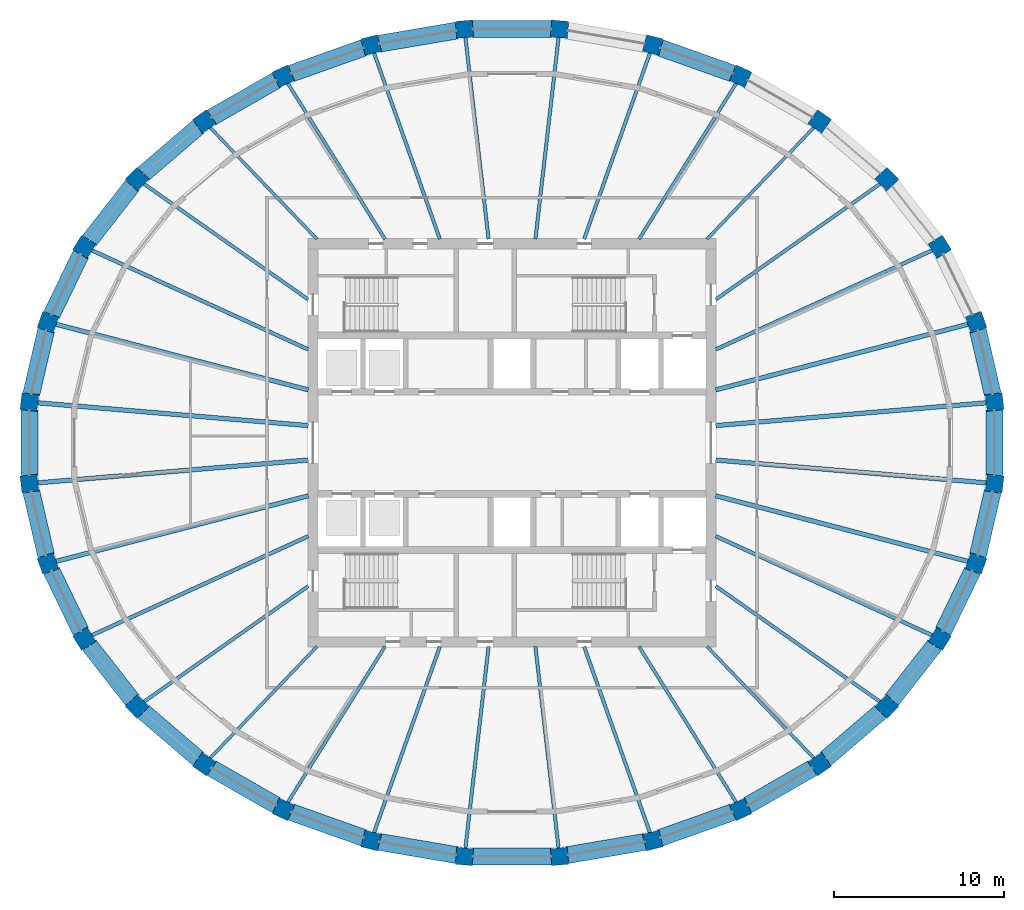
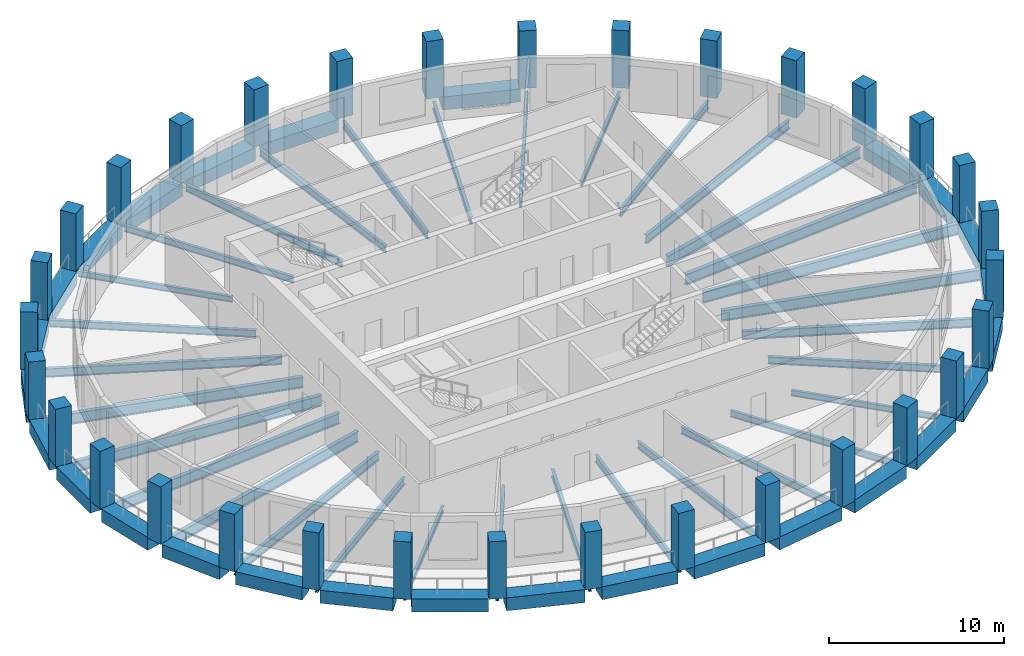
# One storey, part 1 of 10: 59 beams, 32 columns.
"""IFC4 building model written with IfcOpenShell, lengths in metres."""

from ifc_helpers import new_model, si_unit, direction, frame, origin, origin_2d, place, context, subcontext, project, spatial, rectangle, i_section, extrude, material, material_profile, profile_set, type_object, element, save


model = new_model("IFC4")

# Units and contexts
model_context = context("Model", 3, precision=1e-05, world=origin(), true_north=direction((0.0, 1.0)))
body_context = subcontext(model_context, "Body", "Model", "MODEL_VIEW")
ifc_project = project(units=[si_unit("LENGTHUNIT", "METRE"), si_unit("AREAUNIT", "SQUARE_METRE"), si_unit("VOLUMEUNIT", "CUBIC_METRE"), si_unit("PLANEANGLEUNIT", "RADIAN"), si_unit("MASSUNIT", "GRAM", prefix="KILO")], contexts=[model_context])

# Site, building, storey
site_placement = place(None, origin())
site = spatial("IfcSite", under=ifc_project, at=site_placement, CompositionType="ELEMENT")
building_placement = place(site_placement, origin())
building = spatial("IfcBuilding", under=site, at=building_placement, Name="Halqa Exchange Tower", CompositionType="ELEMENT")
storey_placement = place(building_placement, frame((0.0, 0.0, 316.300048828125)))
storey = spatial("IfcBuildingStorey", under=building, at=storey_placement, Name="L74", CompositionType="ELEMENT", Elevation=316.300048828125)

# Columns
ifc_material_1 = material(Name="Concrete C50/60", Category="concrete")
ifc_material_profile_1 = material_profile(ifc_material_1, rectangle(XDim=1.0, YDim=1.0, at=origin_2d()), Name="1000 x 1000")
ifc_profile_set_1 = profile_set([ifc_material_profile_1], Name="Concrete C50/60")
column_type = type_object("IfcColumnType", Name="RC ring column 1000 x 1000 C50/60", PredefinedType="COLUMN", material=ifc_profile_set_1)
for number, where, z_axis, x_axis, name in (
    (1, (28.36279296875, 2.394287109375, 0.0), (0.0, 0.0, 1.0), (-0.114160389816, 0.993462332148, 0.0), "Ring column 1"),
    (2, (27.272705078125, 7.09130859375, 0.0), (0.0, 0.0, 1.0), (-0.333624233576, 0.942706142321, 0.0), "Ring column 2"),
    (3, (25.134765625, 11.515625, 0.0), (0.0, 0.0, 1.0), (-0.529140496257, 0.848534227489, 0.0), "Ring column 3"),
    (4, (22.03076171875, 15.497314453125, 0.0), (0.0, 0.0, 1.0), (-0.691578612608, 0.722301199351, 0.0), "Ring column 4"),
    (5, (18.080078125, 18.883544921875, 0.0), (0.0, 0.0, 1.0), (-0.817906779671, 0.575350762377, 0.0), "Ring column 5"),
    (6, (13.434814453125, 21.544189453125, 0.0), (0.0, 0.0, 1.0), (-0.909128549752, 0.416515641994, 0.0), "Ring column 6"),
    (7, (8.273193359375, 23.376708984375, 0.0), (0.0, 0.0, 1.0), (-0.967819064366, 0.251647091481, 0.0), "Ring column 7"),
    (8, (2.79345703125, 24.31103515625, 0.0), (0.0, 0.0, 1.0), (-0.996455078514, 0.084126550533, 0.0), "Ring column 8"),
    (9, (-2.79345703125, 24.31103515625, 0.0), (0.0, 0.0, 1.0), (-0.996455078514, -0.084126550533, 0.0), "Ring column 9"),
    (10, (-8.273193359375, 23.376708984375, 0.0), (0.0, 0.0, 1.0), (-0.967819064366, -0.251647091481, 0.0), "Ring column 10"),
    (11, (-13.434814453125, 21.544189453125, 0.0), (0.0, 0.0, 1.0), (-0.909128549752, -0.416515641994, 0.0), "Ring column 11"),
    (12, (-18.080078125, 18.883544921875, 0.0), (0.0, 0.0, 1.0), (-0.817906779671, -0.575350762377, 0.0), "Ring column 12"),
    (13, (-22.03076171875, 15.497314453125, 0.0), (0.0, 0.0, 1.0), (-0.691578612608, -0.722301199351, 0.0), "Ring column 13"),
    (14, (-25.134765625, 11.515625, 0.0), (0.0, 0.0, 1.0), (-0.529140496257, -0.848534227489, 0.0), "Ring column 14"),
    (15, (-27.272705078125, 7.09130859375, 0.0), (0.0, 0.0, 1.0), (-0.333624233576, -0.942706142321, 0.0), "Ring column 15"),
    (16, (-28.36279296875, 2.394287109375, 0.0), (0.0, 0.0, 1.0), (-0.114160389816, -0.993462332148, 0.0), "Ring column 16"),
    (17, (-28.36279296875, -2.394287109375, 0.0), (0.0, 0.0, 1.0), (0.114160389816, -0.993462332148, 0.0), "Ring column 17"),
    (18, (-27.272705078125, -7.09130859375, 0.0), (0.0, 0.0, 1.0), (0.333624233576, -0.942706142321, 0.0), "Ring column 18"),
    (19, (-25.134765625, -11.515625, 0.0), (0.0, 0.0, 1.0), (0.529140496257, -0.848534227489, 0.0), "Ring column 19"),
    (20, (-22.03076171875, -15.497314453125, 0.0), (0.0, 0.0, 1.0), (0.691578612608, -0.722301199351, 0.0), "Ring column 20"),
    (21, (-18.080078125, -18.883544921875, 0.0), (0.0, 0.0, 1.0), (0.817906779671, -0.575350762377, 0.0), "Ring column 21"),
    (22, (-13.434814453125, -21.544189453125, 0.0), (0.0, 0.0, 1.0), (0.909128549752, -0.416515641994, 0.0), "Ring column 22"),
    (23, (-8.273193359375, -23.376708984375, 0.0), (0.0, 0.0, 1.0), (0.967819064366, -0.251647091481, 0.0), "Ring column 23"),
    (24, (-2.79345703125, -24.31103515625, 0.0), (0.0, 0.0, 1.0), (0.996455078514, -0.084126550533, 0.0), "Ring column 24"),
    (25, (2.79345703125, -24.31103515625, 0.0), (0.0, 0.0, 1.0), (0.996455078514, 0.084126550533, 0.0), "Ring column 25"),
    (26, (8.273193359375, -23.376708984375, 0.0), (0.0, 0.0, 1.0), (0.967819064366, 0.251647091481, 0.0), "Ring column 26"),
    (27, (13.434814453125, -21.544189453125, 0.0), (0.0, 0.0, 1.0), (0.909128549752, 0.416515641994, 0.0), "Ring column 27"),
    (28, (18.080078125, -18.883544921875, 0.0), (0.0, 0.0, 1.0), (0.817906779671, 0.575350762377, 0.0), "Ring column 28"),
    (29, (22.03076171875, -15.497314453125, 0.0), (0.0, 0.0, 1.0), (0.691578612608, 0.722301199351, 0.0), "Ring column 29"),
    (30, (25.134765625, -11.515625, 0.0), (0.0, 0.0, 1.0), (0.529140496257, 0.848534227489, 0.0), "Ring column 30"),
    (31, (27.272705078125, -7.09130859375, 0.0), (0.0, 0.0, 1.0), (0.333624233576, 0.942706142321, 0.0), "Ring column 31"),
    (32, (28.36279296875, -2.394287109375, 0.0), (0.0, 0.0, 1.0), (0.114160389816, 0.993462332148, 0.0), "Ring column 32"),
):
    element("IfcColumn", number, at=place(storey_placement, frame(where, z_axis=z_axis, x_axis=x_axis)), inside=storey, type_object=column_type, Name=name, PredefinedType="COLUMN", context=body_context, shape_type="SweptSolid", body=[
        extrude(rectangle(XDim=1.0, YDim=1.0, at=origin_2d()), origin(), (0.0, 0.0, 1.0), 4.0),
    ])

# Beams
ifc_material_2 = material(Name="Steel S355", Category="steel")
ifc_material_profile_2 = material_profile(ifc_material_2, i_section(OverallWidth=0.179931640625, OverallDepth=0.39990234375, WebThickness=0.008544921875, FlangeThickness=0.013427734375, FilletRadius=0.02099609375, at=origin_2d()), Name="IPE 400")
ifc_profile_set_2 = profile_set([ifc_material_profile_2], Name="Steel S355")
beam_type_1 = type_object("IfcBeamType", Name="Floor beam IPE 400", PredefinedType="BEAM", material=ifc_profile_set_2)
for number, where, z_axis, x_axis, name in (
    (33, (11.46240234375, 11.9716796875, -0.5), (0.691577100122, 0.722302647501, 0.0), (-0.722302647501, 0.691577100122, 0.0), "Radial beam 5"),
    (34, (-11.46240234375, 11.9716796875, -0.5), (-0.691577100122, 0.722302647501, 0.0), (-0.722302647501, -0.691577100122, 0.0), "Radial beam 12"),
    (35, (-11.46240234375, -11.9716796875, -0.5), (-0.691577100122, -0.722302647501, 0.0), (0.722302647501, -0.691577100122, 0.0), "Radial beam 21"),
    (36, (11.46240234375, -11.9716796875, -0.5), (0.691577100122, -0.722302647501, 0.0), (0.722302647501, 0.691577100122, 0.0), "Radial beam 28"),
):
    element("IfcBeam", number, at=place(storey_placement, frame(where, z_axis=z_axis, x_axis=x_axis)), inside=storey, type_object=beam_type_1, Name=name, PredefinedType="BEAM", context=body_context, shape_type="SweptSolid", body=[
        extrude(i_section(OverallWidth=0.179931640625, OverallDepth=0.39990234375, WebThickness=0.008544921875, FlangeThickness=0.013427734375, FilletRadius=0.02099609375, at=origin_2d()), origin(), (0.0, 0.0, 1.0), 9.193359375),
    ])
ifc_material_profile_3 = material_profile(ifc_material_2, i_section(OverallWidth=0.18994140625, OverallDepth=0.449951171875, WebThickness=0.009521484375, FlangeThickness=0.0146484375, FilletRadius=0.02099609375, at=origin_2d()), Name="IPE 450")
ifc_profile_set_3 = profile_set([ifc_material_profile_3], Name="Steel S355")
beam_type_2 = type_object("IfcBeamType", Name="Floor beam IPE 450", PredefinedType="BEAM", material=ifc_profile_set_3)
for number, where, z_axis, x_axis, name in (
    (37, (7.46630859375, 11.972900390625, -0.525146484375), (0.529135242535, 0.848537503654, 0.0), (-0.848537503654, 0.529135242535, 0.0), "Radial beam 6"),
    (38, (-7.46630859375, 11.972900390625, -0.525146484375), (-0.529135242535, 0.848537503654, 0.0), (-0.848537503654, -0.529135242535, 0.0), "Radial beam 11"),
    (39, (-7.46630859375, -11.972900390625, -0.525146484375), (-0.529135242535, -0.848537503654, 0.0), (0.848537503654, -0.529135242535, 0.0), "Radial beam 22"),
    (40, (7.46630859375, -11.972900390625, -0.525146484375), (0.529135242535, -0.848537503654, 0.0), (0.848537503654, 0.529135242535, 0.0), "Radial beam 27"),
):
    element("IfcBeam", number, at=place(storey_placement, frame(where, z_axis=z_axis, x_axis=x_axis)), inside=storey, type_object=beam_type_2, Name=name, PredefinedType="BEAM", context=body_context, shape_type="SweptSolid", body=[
        extrude(i_section(OverallWidth=0.18994140625, OverallDepth=0.449951171875, WebThickness=0.009521484375, FlangeThickness=0.0146484375, FilletRadius=0.02099609375, at=origin_2d()), origin(), (0.0, 0.0, 1.0), 10.90380859375),
    ])
ifc_material_profile_4 = material_profile(ifc_material_2, i_section(OverallWidth=0.199951171875, OverallDepth=0.5, WebThickness=0.01025390625, FlangeThickness=0.01611328125, FilletRadius=0.02099609375, at=origin_2d()), Name="IPE 500")
ifc_profile_set_4 = profile_set([ifc_material_profile_4], Name="Steel S355")
beam_type_3 = type_object("IfcBeamType", Name="Floor beam IPE 500", PredefinedType="BEAM", material=ifc_profile_set_4)
beam_1_placement = place(storey_placement, frame((11.971435546875, 8.421142578125, -0.550048828125), z_axis=(0.817909915289, 0.575346304822, 0.0), x_axis=(-0.575346304822, 0.817909915289, 0.0)))
element("IfcBeam", 41, at=beam_1_placement, inside=storey, type_object=beam_type_3, Name="Radial beam 4", PredefinedType="BEAM", context=body_context, shape_type="SweptSolid", body=[
    extrude(i_section(OverallWidth=0.199951171875, OverallDepth=0.5, WebThickness=0.01025390625, FlangeThickness=0.01611328125, FilletRadius=0.02099609375, at=origin_2d()), origin(), (0.0, 0.0, 1.0), 11.923095703125),
])
beam_2_placement = place(storey_placement, frame((4.237060546875, 11.97216796875, -0.550048828125), z_axis=(0.333610824629, 0.942710887648, 0.0), x_axis=(-0.942710887648, 0.333610824629, 0.0)))
element("IfcBeam", 42, at=beam_2_placement, inside=storey, type_object=beam_type_3, Name="Radial beam 7", PredefinedType="BEAM", context=body_context, shape_type="SweptSolid", body=[
    extrude(i_section(OverallWidth=0.199951171875, OverallDepth=0.5, WebThickness=0.01025390625, FlangeThickness=0.01611328125, FilletRadius=0.02099609375, at=origin_2d()), origin(), (0.0, 0.0, 1.0), 11.7236328125),
])
for number, where, z_axis, x_axis, name in (
    (43, (1.37548828125, 11.97119140625, -0.550048828125), (0.114158031936, 0.993462603093, 0.0), (-0.993462603093, 0.114158031936, 0.0), "Radial beam 8"),
    (44, (-1.37548828125, 11.97119140625, -0.550048828125), (-0.114158031936, 0.993462603093, 0.0), (-0.993462603093, -0.114158031936, 0.0), "Radial beam 9"),
):
    element("IfcBeam", number, at=place(storey_placement, frame(where, z_axis=z_axis, x_axis=x_axis)), inside=storey, type_object=beam_type_3, Name=name, PredefinedType="BEAM", context=body_context, shape_type="SweptSolid", body=[
        extrude(i_section(OverallWidth=0.199951171875, OverallDepth=0.5, WebThickness=0.01025390625, FlangeThickness=0.01611328125, FilletRadius=0.02099609375, at=origin_2d()), origin(), (0.0, 0.0, 1.0), 12.049072265625),
    ])
beam_3_placement = place(storey_placement, frame((-4.237060546875, 11.97216796875, -0.550048828125), z_axis=(-0.333610824629, 0.942710887648, 0.0), x_axis=(-0.942710887648, -0.333610824629, 0.0)))
element("IfcBeam", 45, at=beam_3_placement, inside=storey, type_object=beam_type_3, Name="Radial beam 10", PredefinedType="BEAM", context=body_context, shape_type="SweptSolid", body=[
    extrude(i_section(OverallWidth=0.199951171875, OverallDepth=0.5, WebThickness=0.01025390625, FlangeThickness=0.01611328125, FilletRadius=0.02099609375, at=origin_2d()), origin(), (0.0, 0.0, 1.0), 11.7236328125),
])
for number, where, z_axis, x_axis, name in (
    (46, (-11.971435546875, 8.421142578125, -0.550048828125), (-0.817909915289, 0.575346304822, 0.0), (-0.575346304822, -0.817909915289, 0.0), "Radial beam 13"),
    (47, (-11.971435546875, -8.421142578125, -0.550048828125), (-0.817909915289, -0.575346304822, 0.0), (0.575346304822, -0.817909915289, 0.0), "Radial beam 20"),
):
    element("IfcBeam", number, at=place(storey_placement, frame(where, z_axis=z_axis, x_axis=x_axis)), inside=storey, type_object=beam_type_3, Name=name, PredefinedType="BEAM", context=body_context, shape_type="SweptSolid", body=[
        extrude(i_section(OverallWidth=0.199951171875, OverallDepth=0.5, WebThickness=0.01025390625, FlangeThickness=0.01611328125, FilletRadius=0.02099609375, at=origin_2d()), origin(), (0.0, 0.0, 1.0), 11.923095703125),
    ])
beam_4_placement = place(storey_placement, frame((-4.237060546875, -11.97216796875, -0.550048828125), z_axis=(-0.333610824629, -0.942710887648, 0.0), x_axis=(0.942710887648, -0.333610824629, 0.0)))
element("IfcBeam", 48, at=beam_4_placement, inside=storey, type_object=beam_type_3, Name="Radial beam 23", PredefinedType="BEAM", context=body_context, shape_type="SweptSolid", body=[
    extrude(i_section(OverallWidth=0.199951171875, OverallDepth=0.5, WebThickness=0.01025390625, FlangeThickness=0.01611328125, FilletRadius=0.02099609375, at=origin_2d()), origin(), (0.0, 0.0, 1.0), 11.7236328125),
])
for number, where, z_axis, x_axis, name in (
    (49, (-1.37548828125, -11.97119140625, -0.550048828125), (-0.114158031936, -0.993462603093, 0.0), (0.993462603093, -0.114158031936, 0.0), "Radial beam 24"),
    (50, (1.37548828125, -11.97119140625, -0.550048828125), (0.114158031936, -0.993462603093, 0.0), (0.993462603093, 0.114158031936, 0.0), "Radial beam 25"),
):
    element("IfcBeam", number, at=place(storey_placement, frame(where, z_axis=z_axis, x_axis=x_axis)), inside=storey, type_object=beam_type_3, Name=name, PredefinedType="BEAM", context=body_context, shape_type="SweptSolid", body=[
        extrude(i_section(OverallWidth=0.199951171875, OverallDepth=0.5, WebThickness=0.01025390625, FlangeThickness=0.01611328125, FilletRadius=0.02099609375, at=origin_2d()), origin(), (0.0, 0.0, 1.0), 12.049072265625),
    ])
beam_5_placement = place(storey_placement, frame((4.237060546875, -11.97216796875, -0.550048828125), z_axis=(0.333610824629, -0.942710887648, 0.0), x_axis=(0.942710887648, 0.333610824629, 0.0)))
element("IfcBeam", 51, at=beam_5_placement, inside=storey, type_object=beam_type_3, Name="Radial beam 26", PredefinedType="BEAM", context=body_context, shape_type="SweptSolid", body=[
    extrude(i_section(OverallWidth=0.199951171875, OverallDepth=0.5, WebThickness=0.01025390625, FlangeThickness=0.01611328125, FilletRadius=0.02099609375, at=origin_2d()), origin(), (0.0, 0.0, 1.0), 11.7236328125),
])
beam_6_placement = place(storey_placement, frame((11.971435546875, -8.421142578125, -0.550048828125), z_axis=(0.817909915289, -0.575346304822, 0.0), x_axis=(0.575346304822, 0.817909915289, 0.0)))
element("IfcBeam", 52, at=beam_6_placement, inside=storey, type_object=beam_type_3, Name="Radial beam 29", PredefinedType="BEAM", context=body_context, shape_type="SweptSolid", body=[
    extrude(i_section(OverallWidth=0.199951171875, OverallDepth=0.5, WebThickness=0.01025390625, FlangeThickness=0.01611328125, FilletRadius=0.02099609375, at=origin_2d()), origin(), (0.0, 0.0, 1.0), 11.923095703125),
])
ifc_material_profile_5 = material_profile(ifc_material_2, i_section(OverallWidth=0.219970703125, OverallDepth=0.60009765625, WebThickness=0.011962890625, FlangeThickness=0.01904296875, FilletRadius=0.02392578125, at=origin_2d()), Name="IPE 600")
ifc_profile_set_5 = profile_set([ifc_material_profile_5], Name="Steel S355")
beam_type_4 = type_object("IfcBeamType", Name="Floor beam IPE 600", PredefinedType="BEAM", material=ifc_profile_set_5)
for number, where, z_axis, x_axis, name in (
    (53, (11.97216796875, 5.485107421875, -0.60009765625), (0.909129837919, 0.416512830302, 0.0), (-0.416512830302, 0.909129837919, 0.0), "Radial beam 3"),
    (54, (-11.97216796875, 5.485107421875, -0.60009765625), (-0.909129837919, 0.416512830302, 0.0), (-0.416512830302, -0.909129837919, 0.0), "Radial beam 14"),
    (55, (-11.97216796875, -5.485107421875, -0.60009765625), (-0.909129837919, -0.416512830302, 0.0), (0.416512830302, -0.909129837919, 0.0), "Radial beam 19"),
    (56, (11.97216796875, -5.485107421875, -0.60009765625), (0.909129837919, -0.416512830302, 0.0), (0.416512830302, 0.909129837919, 0.0), "Radial beam 30"),
):
    element("IfcBeam", number, at=place(storey_placement, frame(where, z_axis=z_axis, x_axis=x_axis)), inside=storey, type_object=beam_type_4, Name=name, PredefinedType="BEAM", context=body_context, shape_type="SweptSolid", body=[
        extrude(i_section(OverallWidth=0.219970703125, OverallDepth=0.60009765625, WebThickness=0.011962890625, FlangeThickness=0.01904296875, FilletRadius=0.02392578125, at=origin_2d()), origin(), (0.0, 0.0, 1.0), 14.102294921875),
    ])
ifc_material_profile_6 = material_profile(ifc_material_2, i_section(OverallWidth=0.264892578125, OverallDepth=0.7529296875, WebThickness=0.01318359375, FlangeThickness=0.01708984375, FilletRadius=0.01708984375, at=origin_2d()), Name="IPE 750x147")
ifc_profile_set_6 = profile_set([ifc_material_profile_6], Name="Steel S355")
beam_type_5 = type_object("IfcBeamType", Name="Floor beam IPE 750x147", PredefinedType="BEAM", material=ifc_profile_set_6)
beam_7_placement = place(storey_placement, frame((11.972900390625, 1.0107421875, -0.676513671875), z_axis=(0.996455843657, 0.08411748713, 0.0), x_axis=(-0.08411748713, 0.996455843657, 0.0)))
element("IfcBeam", 57, at=beam_7_placement, inside=storey, type_object=beam_type_5, Name="Radial beam 1", PredefinedType="BEAM", context=body_context, shape_type="SweptSolid", body=[
    extrude(i_section(OverallWidth=0.264892578125, OverallDepth=0.7529296875, WebThickness=0.01318359375, FlangeThickness=0.01708984375, FilletRadius=0.01708984375, at=origin_2d()), origin(), (0.0, 0.0, 1.0), 16.076171875),
])
for number, where, z_axis, x_axis, name in (
    (58, (11.97265625, 3.113037109375, -0.676513671875), (0.967821042963, 0.251639481794, 0.0), (-0.251639481794, 0.967821042963, 0.0), "Radial beam 2"),
    (59, (-11.97265625, 3.113037109375, -0.676513671875), (-0.967821042963, 0.251639481794, 0.0), (-0.251639481794, -0.967821042963, 0.0), "Radial beam 15"),
):
    element("IfcBeam", number, at=place(storey_placement, frame(where, z_axis=z_axis, x_axis=x_axis)), inside=storey, type_object=beam_type_5, Name=name, PredefinedType="BEAM", context=body_context, shape_type="SweptSolid", body=[
        extrude(i_section(OverallWidth=0.264892578125, OverallDepth=0.7529296875, WebThickness=0.01318359375, FlangeThickness=0.01708984375, FilletRadius=0.01708984375, at=origin_2d()), origin(), (0.0, 0.0, 1.0), 15.434814453125),
    ])
for number, where, z_axis, x_axis, name in (
    (60, (-11.972900390625, 1.0107421875, -0.676513671875), (-0.996455843657, 0.08411748713, 0.0), (-0.08411748713, -0.996455843657, 0.0), "Radial beam 16"),
    (61, (-11.972900390625, -1.0107421875, -0.676513671875), (-0.996455843657, -0.08411748713, 0.0), (0.08411748713, -0.996455843657, 0.0), "Radial beam 17"),
):
    element("IfcBeam", number, at=place(storey_placement, frame(where, z_axis=z_axis, x_axis=x_axis)), inside=storey, type_object=beam_type_5, Name=name, PredefinedType="BEAM", context=body_context, shape_type="SweptSolid", body=[
        extrude(i_section(OverallWidth=0.264892578125, OverallDepth=0.7529296875, WebThickness=0.01318359375, FlangeThickness=0.01708984375, FilletRadius=0.01708984375, at=origin_2d()), origin(), (0.0, 0.0, 1.0), 16.076171875),
    ])
for number, where, z_axis, x_axis, name in (
    (62, (-11.97265625, -3.113037109375, -0.676513671875), (-0.967821042963, -0.251639481794, 0.0), (0.251639481794, -0.967821042963, 0.0), "Radial beam 18"),
    (63, (11.97265625, -3.113037109375, -0.676513671875), (0.967821042963, -0.251639481794, 0.0), (0.251639481794, 0.967821042963, 0.0), "Radial beam 31"),
):
    element("IfcBeam", number, at=place(storey_placement, frame(where, z_axis=z_axis, x_axis=x_axis)), inside=storey, type_object=beam_type_5, Name=name, PredefinedType="BEAM", context=body_context, shape_type="SweptSolid", body=[
        extrude(i_section(OverallWidth=0.264892578125, OverallDepth=0.7529296875, WebThickness=0.01318359375, FlangeThickness=0.01708984375, FilletRadius=0.01708984375, at=origin_2d()), origin(), (0.0, 0.0, 1.0), 15.434814453125),
    ])
beam_8_placement = place(storey_placement, frame((11.972900390625, -1.0107421875, -0.676513671875), z_axis=(0.996455843657, -0.08411748713, 0.0), x_axis=(0.08411748713, 0.996455843657, 0.0)))
element("IfcBeam", 64, at=beam_8_placement, inside=storey, type_object=beam_type_5, Name="Radial beam 32", PredefinedType="BEAM", context=body_context, shape_type="SweptSolid", body=[
    extrude(i_section(OverallWidth=0.264892578125, OverallDepth=0.7529296875, WebThickness=0.01318359375, FlangeThickness=0.01708984375, FilletRadius=0.01708984375, at=origin_2d()), origin(), (0.0, 0.0, 1.0), 16.076171875),
])
ifc_material_3 = material(Name="Concrete C60/75", Category="concrete")
ifc_material_profile_7 = material_profile(ifc_material_3, rectangle(XDim=1.0, YDim=0.89990234375, at=origin_2d()), Name="1000 x 900")
ifc_profile_set_7 = profile_set([ifc_material_profile_7], Name="Concrete C60/75")
beam_type_6 = type_object("IfcBeamType", Name="RC spandrel beam 1000 x 900 C60/75", PredefinedType="SPANDREL", material=ifc_profile_set_7)
beam_9_placement = place(storey_placement, frame((28.25537109375, 2.857177734375, -0.449951171875), z_axis=(-0.226093384766, 0.974105631523, 0.0), x_axis=(-0.974105631523, -0.226093384766, 0.0)))
element("IfcBeam", 65, at=beam_9_placement, inside=storey, type_object=beam_type_6, Name="Spandrel 1", PredefinedType="SPANDREL", context=body_context, shape_type="SweptSolid", body=[
    extrude(rectangle(XDim=1.0, YDim=0.89990234375, at=origin_2d()), origin(), (0.0, 0.0, 1.0), 3.872314453125),
])
beam_10_placement = place(storey_placement, frame((12.98828125, 21.70263671875, -0.449951171875), z_axis=(-0.94236088808, 0.334598201755, 0.0), x_axis=(-0.334598201755, -0.94236088808, 0.0)))
element("IfcBeam", 66, at=beam_10_placement, inside=storey, type_object=beam_type_6, Name="Spandrel 6", PredefinedType="SPANDREL", context=body_context, shape_type="SweptSolid", body=[
    extrude(rectangle(XDim=1.0, YDim=0.89990234375, at=origin_2d()), origin(), (0.0, 0.0, 1.0), 4.530517578125),
])
beam_11_placement = place(storey_placement, frame((2.319580078125, 24.31103515625, -0.449951171875), z_axis=(-1.0, 0.0, 0.0), x_axis=(0.0, -1.0, 0.0)))
element("IfcBeam", 67, at=beam_11_placement, inside=storey, type_object=beam_type_6, Name="Spandrel 8", PredefinedType="SPANDREL", context=body_context, shape_type="SweptSolid", body=[
    extrude(rectangle(XDim=1.0, YDim=0.89990234375, at=origin_2d()), origin(), (0.0, 0.0, 1.0), 4.63916015625),
])
beam_12_placement = place(storey_placement, frame((-3.2607421875, 24.231201171875, -0.449951171875), z_axis=(-0.985773042695, -0.168081849987, 0.0), x_axis=(0.168081849987, -0.985773042695, 0.0)))
element("IfcBeam", 68, at=beam_12_placement, inside=storey, type_object=beam_type_6, Name="Spandrel 9", PredefinedType="SPANDREL", context=body_context, shape_type="SweptSolid", body=[
    extrude(rectangle(XDim=1.0, YDim=0.89990234375, at=origin_2d()), origin(), (0.0, 0.0, 1.0), 4.6103515625),
])
beam_13_placement = place(storey_placement, frame((-8.718994140625, 23.218505859375, -0.449951171875), z_axis=(-0.94236088808, -0.334598201755, 0.0), x_axis=(0.334598201755, -0.94236088808, 0.0)))
element("IfcBeam", 69, at=beam_13_placement, inside=storey, type_object=beam_type_6, Name="Spandrel 10", PredefinedType="SPANDREL", context=body_context, shape_type="SweptSolid", body=[
    extrude(rectangle(XDim=1.0, YDim=0.89990234375, at=origin_2d()), origin(), (0.0, 0.0, 1.0), 4.530517578125),
])
beam_14_placement = place(storey_placement, frame((-13.8466796875, 21.30810546875, -0.449951171875), z_axis=(-0.86778573249, -0.49693855001, 0.0), x_axis=(0.49693855001, -0.86778573249, 0.0)))
element("IfcBeam", 70, at=beam_14_placement, inside=storey, type_object=beam_type_6, Name="Spandrel 11", PredefinedType="SPANDREL", context=body_context, shape_type="SweptSolid", body=[
    extrude(rectangle(XDim=1.0, YDim=0.89990234375, at=origin_2d()), origin(), (0.0, 0.0, 1.0), 4.40478515625),
])
beam_15_placement = place(storey_placement, frame((-18.44091796875, 18.574462890625, -0.449951171875), z_axis=(-0.759232294843, -0.65081973116, 0.0), x_axis=(0.65081973116, -0.759232294843, 0.0)))
element("IfcBeam", 71, at=beam_15_placement, inside=storey, type_object=beam_type_6, Name="Spandrel 12", PredefinedType="SPANDREL", context=body_context, shape_type="SweptSolid", body=[
    extrude(rectangle(XDim=1.0, YDim=0.89990234375, at=origin_2d()), origin(), (0.0, 0.0, 1.0), 4.25390625),
])
beam_16_placement = place(storey_placement, frame((-22.322021484375, 15.123779296875, -0.449951171875), z_axis=(-0.61480594236, -0.788678421943, 0.0), x_axis=(0.788678421943, -0.61480594236, 0.0)))
element("IfcBeam", 72, at=beam_16_placement, inside=storey, type_object=beam_type_6, Name="Spandrel 13", PredefinedType="SPANDREL", context=body_context, shape_type="SweptSolid", body=[
    extrude(rectangle(XDim=1.0, YDim=0.89990234375, at=origin_2d()), origin(), (0.0, 0.0, 1.0), 4.10009765625),
])
beam_17_placement = place(storey_placement, frame((-25.34130859375, 11.088623046875, -0.449951171875), z_axis=(-0.43505216676, -0.900405248873, 0.0), x_axis=(0.900405248873, -0.43505216676, 0.0)))
element("IfcBeam", 73, at=beam_17_placement, inside=storey, type_object=beam_type_6, Name="Spandrel 14", PredefinedType="SPANDREL", context=body_context, shape_type="SweptSolid", body=[
    extrude(rectangle(XDim=1.0, YDim=0.89990234375, at=origin_2d()), origin(), (0.0, 0.0, 1.0), 3.964111328125),
])
beam_18_placement = place(storey_placement, frame((-27.3798828125, 6.629150390625, -0.449951171875), z_axis=(-0.226093384766, -0.974105631523, 0.0), x_axis=(0.974105631523, -0.226093384766, 0.0)))
element("IfcBeam", 74, at=beam_18_placement, inside=storey, type_object=beam_type_6, Name="Spandrel 15", PredefinedType="SPANDREL", context=body_context, shape_type="SweptSolid", body=[
    extrude(rectangle(XDim=1.0, YDim=0.89990234375, at=origin_2d()), origin(), (0.0, 0.0, 1.0), 3.872314453125),
])
beam_19_placement = place(storey_placement, frame((-28.36279296875, 1.919189453125, -0.449951171875), z_axis=(0.0, -1.0, 0.0), x_axis=(1.0, 0.0, 0.0)))
element("IfcBeam", 75, at=beam_19_placement, inside=storey, type_object=beam_type_6, Name="Spandrel 16", PredefinedType="SPANDREL", context=body_context, shape_type="SweptSolid", body=[
    extrude(rectangle(XDim=1.0, YDim=0.89990234375, at=origin_2d()), origin(), (0.0, 0.0, 1.0), 3.83837890625),
])
beam_20_placement = place(storey_placement, frame((-28.25537109375, -2.857177734375, -0.449951171875), z_axis=(0.226093384766, -0.974105631523, 0.0), x_axis=(0.974105631523, 0.226093384766, 0.0)))
element("IfcBeam", 76, at=beam_20_placement, inside=storey, type_object=beam_type_6, Name="Spandrel 17", PredefinedType="SPANDREL", context=body_context, shape_type="SweptSolid", body=[
    extrude(rectangle(XDim=1.0, YDim=0.89990234375, at=origin_2d()), origin(), (0.0, 0.0, 1.0), 3.872314453125),
])
beam_21_placement = place(storey_placement, frame((-27.06591796875, -7.519287109375, -0.449951171875), z_axis=(0.43505216676, -0.900405248873, 0.0), x_axis=(0.900405248873, 0.43505216676, 0.0)))
element("IfcBeam", 77, at=beam_21_placement, inside=storey, type_object=beam_type_6, Name="Spandrel 18", PredefinedType="SPANDREL", context=body_context, shape_type="SweptSolid", body=[
    extrude(rectangle(XDim=1.0, YDim=0.89990234375, at=origin_2d()), origin(), (0.0, 0.0, 1.0), 3.964111328125),
])
beam_22_placement = place(storey_placement, frame((-24.8427734375, -11.89013671875, -0.449951171875), z_axis=(0.61480594236, -0.788678421943, 0.0), x_axis=(0.788678421943, 0.61480594236, 0.0)))
element("IfcBeam", 78, at=beam_22_placement, inside=storey, type_object=beam_type_6, Name="Spandrel 19", PredefinedType="SPANDREL", context=body_context, shape_type="SweptSolid", body=[
    extrude(rectangle(XDim=1.0, YDim=0.89990234375, at=origin_2d()), origin(), (0.0, 0.0, 1.0), 4.10009765625),
])
beam_23_placement = place(storey_placement, frame((-21.670654296875, -15.805908203125, -0.449951171875), z_axis=(0.759232294843, -0.65081973116, 0.0), x_axis=(0.65081973116, 0.759232294843, 0.0)))
element("IfcBeam", 79, at=beam_23_placement, inside=storey, type_object=beam_type_6, Name="Spandrel 20", PredefinedType="SPANDREL", context=body_context, shape_type="SweptSolid", body=[
    extrude(rectangle(XDim=1.0, YDim=0.89990234375, at=origin_2d()), origin(), (0.0, 0.0, 1.0), 4.25390625),
])
beam_24_placement = place(storey_placement, frame((-17.669189453125, -19.119140625, -0.449951171875), z_axis=(0.86778573249, -0.49693855001, 0.0), x_axis=(0.49693855001, 0.86778573249, 0.0)))
element("IfcBeam", 80, at=beam_24_placement, inside=storey, type_object=beam_type_6, Name="Spandrel 21", PredefinedType="SPANDREL", context=body_context, shape_type="SweptSolid", body=[
    extrude(rectangle(XDim=1.0, YDim=0.89990234375, at=origin_2d()), origin(), (0.0, 0.0, 1.0), 4.40478515625),
])
beam_25_placement = place(storey_placement, frame((-12.98828125, -21.70263671875, -0.449951171875), z_axis=(0.94236088808, -0.334598201755, 0.0), x_axis=(0.334598201755, 0.94236088808, 0.0)))
element("IfcBeam", 81, at=beam_25_placement, inside=storey, type_object=beam_type_6, Name="Spandrel 22", PredefinedType="SPANDREL", context=body_context, shape_type="SweptSolid", body=[
    extrude(rectangle(XDim=1.0, YDim=0.89990234375, at=origin_2d()), origin(), (0.0, 0.0, 1.0), 4.530517578125),
])
beam_26_placement = place(storey_placement, frame((-7.805419921875, -23.456298828125, -0.449951171875), z_axis=(0.985773042695, -0.168081849987, 0.0), x_axis=(0.168081849987, 0.985773042695, 0.0)))
element("IfcBeam", 82, at=beam_26_placement, inside=storey, type_object=beam_type_6, Name="Spandrel 23", PredefinedType="SPANDREL", context=body_context, shape_type="SweptSolid", body=[
    extrude(rectangle(XDim=1.0, YDim=0.89990234375, at=origin_2d()), origin(), (0.0, 0.0, 1.0), 4.6103515625),
])
beam_27_placement = place(storey_placement, frame((-2.319580078125, -24.31103515625, -0.449951171875), z_axis=(1.0, 0.0, 0.0), x_axis=(0.0, 1.0, 0.0)))
element("IfcBeam", 83, at=beam_27_placement, inside=storey, type_object=beam_type_6, Name="Spandrel 24", PredefinedType="SPANDREL", context=body_context, shape_type="SweptSolid", body=[
    extrude(rectangle(XDim=1.0, YDim=0.89990234375, at=origin_2d()), origin(), (0.0, 0.0, 1.0), 4.63916015625),
])
beam_28_placement = place(storey_placement, frame((3.2607421875, -24.231201171875, -0.449951171875), z_axis=(0.985773042695, 0.168081849987, 0.0), x_axis=(-0.168081849987, 0.985773042695, 0.0)))
element("IfcBeam", 84, at=beam_28_placement, inside=storey, type_object=beam_type_6, Name="Spandrel 25", PredefinedType="SPANDREL", context=body_context, shape_type="SweptSolid", body=[
    extrude(rectangle(XDim=1.0, YDim=0.89990234375, at=origin_2d()), origin(), (0.0, 0.0, 1.0), 4.6103515625),
])
beam_29_placement = place(storey_placement, frame((8.718994140625, -23.218505859375, -0.449951171875), z_axis=(0.94236088808, 0.334598201755, 0.0), x_axis=(-0.334598201755, 0.94236088808, 0.0)))
element("IfcBeam", 85, at=beam_29_placement, inside=storey, type_object=beam_type_6, Name="Spandrel 26", PredefinedType="SPANDREL", context=body_context, shape_type="SweptSolid", body=[
    extrude(rectangle(XDim=1.0, YDim=0.89990234375, at=origin_2d()), origin(), (0.0, 0.0, 1.0), 4.530517578125),
])
beam_30_placement = place(storey_placement, frame((13.8466796875, -21.30810546875, -0.449951171875), z_axis=(0.86778573249, 0.49693855001, 0.0), x_axis=(-0.49693855001, 0.86778573249, 0.0)))
element("IfcBeam", 86, at=beam_30_placement, inside=storey, type_object=beam_type_6, Name="Spandrel 27", PredefinedType="SPANDREL", context=body_context, shape_type="SweptSolid", body=[
    extrude(rectangle(XDim=1.0, YDim=0.89990234375, at=origin_2d()), origin(), (0.0, 0.0, 1.0), 4.40478515625),
])
beam_31_placement = place(storey_placement, frame((18.44091796875, -18.574462890625, -0.449951171875), z_axis=(0.759232294843, 0.65081973116, 0.0), x_axis=(-0.65081973116, 0.759232294843, 0.0)))
element("IfcBeam", 87, at=beam_31_placement, inside=storey, type_object=beam_type_6, Name="Spandrel 28", PredefinedType="SPANDREL", context=body_context, shape_type="SweptSolid", body=[
    extrude(rectangle(XDim=1.0, YDim=0.89990234375, at=origin_2d()), origin(), (0.0, 0.0, 1.0), 4.25390625),
])
beam_32_placement = place(storey_placement, frame((22.322021484375, -15.123779296875, -0.449951171875), z_axis=(0.61480594236, 0.788678421943, 0.0), x_axis=(-0.788678421943, 0.61480594236, 0.0)))
element("IfcBeam", 88, at=beam_32_placement, inside=storey, type_object=beam_type_6, Name="Spandrel 29", PredefinedType="SPANDREL", context=body_context, shape_type="SweptSolid", body=[
    extrude(rectangle(XDim=1.0, YDim=0.89990234375, at=origin_2d()), origin(), (0.0, 0.0, 1.0), 4.10009765625),
])
beam_33_placement = place(storey_placement, frame((25.34130859375, -11.088623046875, -0.449951171875), z_axis=(0.43505216676, 0.900405248873, 0.0), x_axis=(-0.900405248873, 0.43505216676, 0.0)))
element("IfcBeam", 89, at=beam_33_placement, inside=storey, type_object=beam_type_6, Name="Spandrel 30", PredefinedType="SPANDREL", context=body_context, shape_type="SweptSolid", body=[
    extrude(rectangle(XDim=1.0, YDim=0.89990234375, at=origin_2d()), origin(), (0.0, 0.0, 1.0), 3.964111328125),
])
beam_34_placement = place(storey_placement, frame((27.3798828125, -6.629150390625, -0.449951171875), z_axis=(0.226093384766, 0.974105631523, 0.0), x_axis=(-0.974105631523, 0.226093384766, 0.0)))
element("IfcBeam", 90, at=beam_34_placement, inside=storey, type_object=beam_type_6, Name="Spandrel 31", PredefinedType="SPANDREL", context=body_context, shape_type="SweptSolid", body=[
    extrude(rectangle(XDim=1.0, YDim=0.89990234375, at=origin_2d()), origin(), (0.0, 0.0, 1.0), 3.872314453125),
])
beam_35_placement = place(storey_placement, frame((28.36279296875, -1.919189453125, -0.449951171875), z_axis=(0.0, 1.0, 0.0), x_axis=(-1.0, 0.0, 0.0)))
element("IfcBeam", 91, at=beam_35_placement, inside=storey, type_object=beam_type_6, Name="Spandrel 32", PredefinedType="SPANDREL", context=body_context, shape_type="SweptSolid", body=[
    extrude(rectangle(XDim=1.0, YDim=0.89990234375, at=origin_2d()), origin(), (0.0, 0.0, 1.0), 3.83837890625),
])

save(model, "model.ifc")
